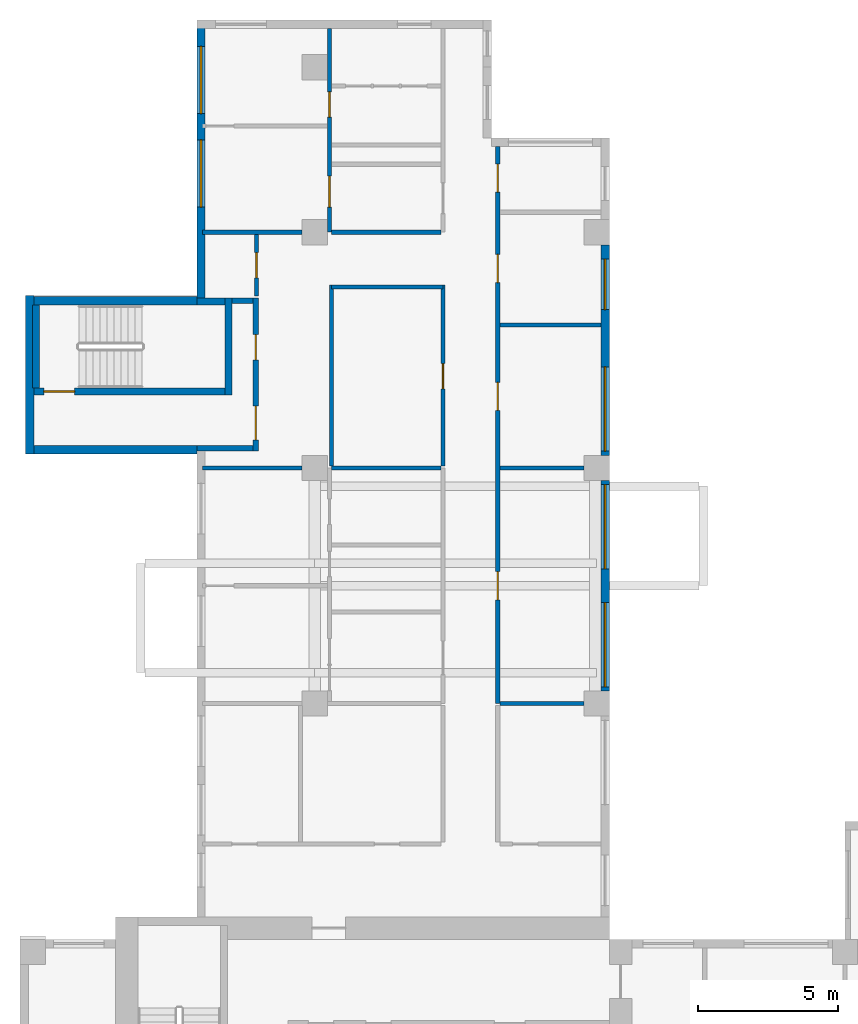
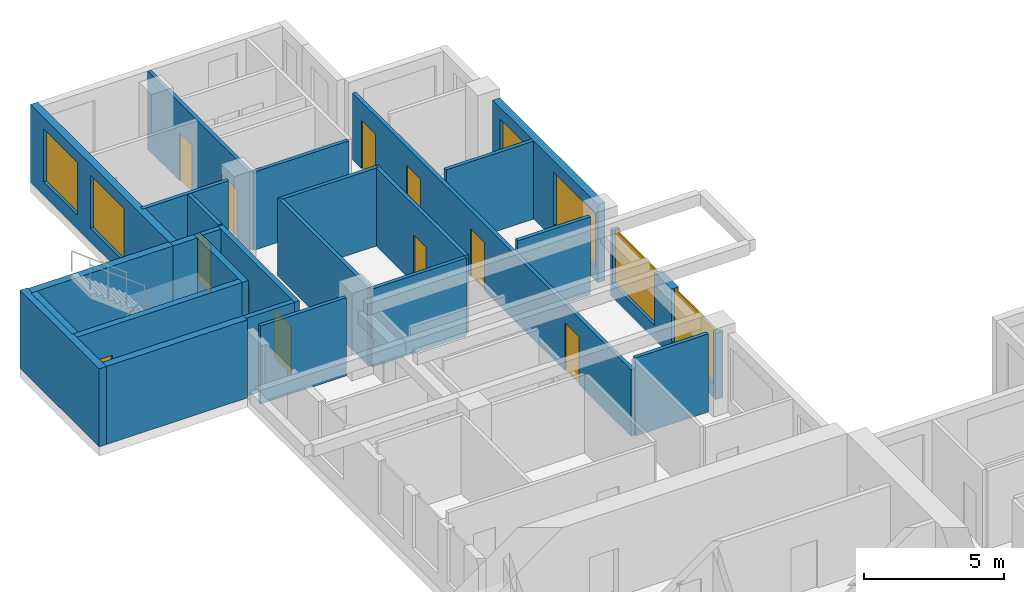
# One storey, part 8 of 13: 26 walls, 11 doors, 6 windows, 17 openings.
"""IFC4 building model written with IfcOpenShell, lengths in metres."""

import ifcopenshell
import ifcopenshell.guid

model = None  # the IFC model being written
_history = None  # IfcOwnerHistory: only IFC2X3 demands one
_inside = {}  # id of a spatial element -> (the spatial element, [elements in it])
_under = {}  # id of a project, library or spatial element -> (it, [spatial elements below it])
_declared = {}  # id of a project -> (the project, [libraries it declares])
_typed = {}  # id of a type object -> (the type object, [elements of that type])
_made_of = {}  # id of a material, layer set ... -> (it, [elements and type objects made of it])


def new_model(schema):
    """Start an empty IFC model of exactly this schema.

    Asked for "IFC4X3", IfcOpenShell would pick the latest addendum, in which some entities
    have other attributes; the version numbers below select the first issue.
    IFC2X3 requires an IfcOwnerHistory on every rooted entity: one is made here for all.
    """
    global model, _history
    if schema == "IFC4X3":
        model = ifcopenshell.file(schema_version=(4, 3, 0, 0))
    else:
        model = ifcopenshell.file(schema=schema)
    _inside.clear()
    _under.clear()
    _declared.clear()
    _typed.clear()
    _made_of.clear()
    _history = None
    if model.schema == "IFC2X3":
        org = make("IfcOrganization", Name="unknown")
        user = make(
            "IfcPersonAndOrganization",
            ThePerson=make("IfcPerson", FamilyName="unknown"),
            TheOrganization=org,
        )
        app = make(
            "IfcApplication",
            ApplicationDeveloper=org,
            Version="unknown",
            ApplicationFullName="unknown",
            ApplicationIdentifier="unknown",
        )
        _history = make(
            "IfcOwnerHistory",
            OwningUser=user,
            OwningApplication=app,
            ChangeAction="ADDED",
            CreationDate=0,
        )
    return model


def make(cls, **values):
    """One entity of the class cls with the attributes given. An attribute that is None is left unset."""
    return model.create_entity(
        cls, **{name: value for name, value in values.items() if value is not None}
    )


def rooted(cls, **values):
    """An entity with a GlobalId (a new one), such as an element, a storey or a relation."""
    return make(cls, GlobalId=ifcopenshell.guid.new(), OwnerHistory=_history, **values)


def si_unit(unit_type, name, prefix=None):
    """IfcSIUnit, for example si_unit("LENGTHUNIT", "METRE", prefix="MILLI")."""
    return make("IfcSIUnit", UnitType=unit_type, Prefix=prefix, Name=name)


def assignment(units):
    """IfcUnitAssignment: the units of a project."""
    return None if units is None else make("IfcUnitAssignment", Units=units)


def point(xyz):
    """IfcCartesianPoint."""
    return None if xyz is None else make("IfcCartesianPoint", Coordinates=xyz)


def direction(xyz):
    """IfcDirection."""
    return None if xyz is None else make("IfcDirection", DirectionRatios=xyz)


def frame(location, z_axis=None, x_axis=None):
    """IfcAxis2Placement3D, a coordinate frame: its origin and axes. An axis left out is left unset."""
    return make(
        "IfcAxis2Placement3D",
        Location=point(location),
        Axis=direction(z_axis),
        RefDirection=direction(x_axis),
    )


def frame_2d(location, x_axis=None):
    """IfcAxis2Placement2D, a coordinate frame in the plane: its origin and x axis."""
    return make(
        "IfcAxis2Placement2D", Location=point(location), RefDirection=direction(x_axis)
    )


def origin():
    """The frame at (0, 0, 0) with its axes left unset."""
    return frame((0.0, 0.0, 0.0))


def place(relative_to, where):
    """IfcLocalPlacement: puts the frame where relative to a parent placement (None: the world)."""
    return make(
        "IfcLocalPlacement", PlacementRelTo=relative_to, RelativePlacement=where
    )


def context(
    kind, dimensions, precision=None, world=None, true_north=None, identifier=None
):
    """IfcGeometricRepresentationContext, for example the 3D "Model" context."""
    return make(
        "IfcGeometricRepresentationContext",
        ContextIdentifier=identifier,
        ContextType=kind,
        CoordinateSpaceDimension=dimensions,
        Precision=precision,
        WorldCoordinateSystem=world,
        TrueNorth=true_north,
    )


def subcontext(parent, identifier, kind, view, scale=None):
    """IfcGeometricRepresentationSubContext, for example "Body" below "Model"."""
    return make(
        "IfcGeometricRepresentationSubContext",
        ContextIdentifier=identifier,
        ContextType=kind,
        ParentContext=parent,
        TargetScale=scale,
        TargetView=view,
    )


def project(units=None, contexts=None):
    """IfcProject with its units and contexts."""
    return rooted(
        "IfcProject",
        Name="project",
        RepresentationContexts=contexts,
        UnitsInContext=assignment(units),
    )


def spatial(cls, under=None, at=None, **own):
    """A site, building, storey or space (cls), placed at a placement, below another one or the project."""
    s = rooted(cls, ObjectPlacement=at, **own)
    if under is not None:
        _under.setdefault(under.id(), (under, []))[1].append(s)
    return s


def profile(cls, at=None, kind="AREA", **sizes):
    """A parametric profile (cls). Its sizes go by their IFC names, for example OverallWidth=200.0."""
    return make(cls, ProfileType=kind, Position=at, **sizes)


def rectangle(**sizes):
    """IfcRectangleProfileDef."""
    return profile("IfcRectangleProfileDef", **sizes)


def extrude(swept, where, along, depth):
    """IfcExtrudedAreaSolid: the profile swept, set in the frame where, extruded along a direction by depth."""
    return make(
        "IfcExtrudedAreaSolid",
        SweptArea=swept,
        Position=where,
        ExtrudedDirection=direction(along),
        Depth=depth,
    )


def shape(context_of_items, identifier, shape_type, items):
    """IfcShapeRepresentation: the items that make up one representation, for example the "Body"."""
    return make(
        "IfcShapeRepresentation",
        ContextOfItems=context_of_items,
        RepresentationIdentifier=identifier,
        RepresentationType=shape_type,
        Items=items,
    )


def source(mapping_origin, context_of_items, identifier, shape_type, items):
    """IfcRepresentationMap: a shape defined once, which mapped items show again and again."""
    return make(
        "IfcRepresentationMap",
        MappingOrigin=mapping_origin,
        MappedRepresentation=shape(context_of_items, identifier, shape_type, items),
    )


def transform(
    local_origin,
    x_axis=None,
    y_axis=None,
    z_axis=None,
    scale=None,
    scale2=None,
    scale3=None,
    uniform=True,
):
    """IfcCartesianTransformationOperator3D, or its non-uniform kind. x_axis, y_axis, z_axis: its Axis1, 2, 3."""
    if uniform:
        return make(
            "IfcCartesianTransformationOperator3D",
            Axis1=direction(x_axis),
            Axis2=direction(y_axis),
            LocalOrigin=point(local_origin),
            Scale=scale,
            Axis3=direction(z_axis),
        )
    return make(
        "IfcCartesianTransformationOperator3DnonUniform",
        Axis1=direction(x_axis),
        Axis2=direction(y_axis),
        LocalOrigin=point(local_origin),
        Scale=scale,
        Axis3=direction(z_axis),
        Scale2=scale2,
        Scale3=scale3,
    )


def mapped(mapping_source, mapping_target):
    """IfcMappedItem: shows the shape of a source again, moved by a transform."""
    return make(
        "IfcMappedItem", MappingSource=mapping_source, MappingTarget=mapping_target
    )


def material(Name=None, Category=None):
    """IfcMaterial."""
    return make("IfcMaterial", Name=Name, Category=Category)


def layer(
    of_material, thickness, ventilated=None, Name=None, Category=None, Priority=None
):
    """IfcMaterialLayer: one layer of a wall or slab, of a material (None: an air gap)."""
    return make(
        "IfcMaterialLayer",
        Material=of_material,
        LayerThickness=thickness,
        IsVentilated=ventilated,
        Name=Name,
        Category=Category,
        Priority=Priority,
    )


def layer_set(layers, Name=None):
    """IfcMaterialLayerSet."""
    return make("IfcMaterialLayerSet", MaterialLayers=layers, LayerSetName=Name)


def made_of(thing, what):
    """Note that an element or type object is made of a material, layer set ...; save() writes the relation."""
    if what is not None:
        _made_of.setdefault(what.id(), (what, []))[1].append(thing)
    return thing


def type_object(cls, material=None, **own):
    """A type object (cls), such as IfcWallType, which elements share."""
    return made_of(rooted(cls, **own), material)


def element(
    cls,
    number,
    at=None,
    inside=None,
    cuts=None,
    type_object=None,
    material=None,
    context=None,
    identifier="Body",
    shape_type=None,
    held_by="IfcProductDefinitionShape",
    body=None,
    shapes=None,
    **own,
):
    """One element of the class cls, such as IfcWall. Its Tag is "e" and its number.

    at: its placement. inside: the storey or other place that contains it. cuts: it is an
    opening in that element (IfcRelVoidsElement). A single representation is given by context,
    identifier, shape_type and body (its items); several are given by shapes. held_by: the class
    of the entity that holds the representations. save() writes the other relations.
    """
    e = rooted(cls, Tag="e%d" % number, ObjectPlacement=at, **own)
    if body is not None:
        shapes = [shape(context, identifier, shape_type, body)]
    if shapes is not None:
        e.Representation = make(held_by, Representations=shapes)
    if inside is not None:
        _inside.setdefault(inside.id(), (inside, []))[1].append(e)
    if cuts is not None:
        rooted(
            "IfcRelVoidsElement", RelatingBuildingElement=cuts, RelatedOpeningElement=e
        )
    if type_object is not None:
        _typed.setdefault(type_object.id(), (type_object, []))[1].append(e)
    return made_of(e, material)


def fill(opening, filler):
    """IfcRelFillsElement: the door or window that sits in an opening."""
    return rooted(
        "IfcRelFillsElement",
        RelatingOpeningElement=opening,
        RelatedBuildingElement=filler,
    )


def aggregate(whole, parts):
    """IfcRelAggregates: a whole, such as a stair, and the parts it consists of."""
    return rooted("IfcRelAggregates", RelatingObject=whole, RelatedObjects=parts)


def save(model, path):
    """Write the relations noted so far, then the file.

    IfcRelAggregates (storeys below a building ...), IfcRelContainedInSpatialStructure (elements
    in a storey), IfcRelDefinesByType, IfcRelAssociatesMaterial and IfcRelDeclares: one each for
    every whole, place, type object, material and project.
    """
    for whole, parts in _under.values():
        aggregate(whole, parts)
    for where, things in _inside.values():
        rooted(
            "IfcRelContainedInSpatialStructure",
            RelatedElements=things,
            RelatingStructure=where,
        )
    for kind, things in _typed.values():
        rooted("IfcRelDefinesByType", RelatedObjects=things, RelatingType=kind)
    for what, things in _made_of.values():
        rooted("IfcRelAssociatesMaterial", RelatedObjects=things, RelatingMaterial=what)
    for by, libraries in _declared.values():
        rooted("IfcRelDeclares", RelatingContext=by, RelatedDefinitions=libraries)
    model.write(path)


model = new_model("IFC4")

# Units and contexts
model_context = context("Model", 3, precision=1e-05, world=origin(), true_north=direction((0.0, 1.0)))
body_context = subcontext(model_context, "Body", "Model", "MODEL_VIEW")
ifc_project = project(units=[si_unit("LENGTHUNIT", "METRE"), si_unit("AREAUNIT", "SQUARE_METRE"), si_unit("VOLUMEUNIT", "CUBIC_METRE"), si_unit("PLANEANGLEUNIT", "RADIAN"), si_unit("MASSUNIT", "GRAM", prefix="KILO")], contexts=[model_context])

# Site, building, storey
site_placement = place(None, origin())
site = spatial("IfcSite", under=ifc_project, at=site_placement, CompositionType="ELEMENT")
building_placement = place(site_placement, origin())
building = spatial("IfcBuilding", under=site, at=building_placement, Name="Aurelian Terraces", CompositionType="ELEMENT")
storey_placement = place(building_placement, frame((0.0, 0.0, 204.4)))
storey = spatial("IfcBuildingStorey", under=building, at=storey_placement, Name="L45", CompositionType="ELEMENT", Elevation=204.4)

# Wall, openings, windows
ifc_material_1 = material(Name="Terracotta rainscreen cladding", Category="masonry")
ifc_layer_1 = layer(ifc_material_1, 0.3)
ifc_layer_set_1 = layer_set([ifc_layer_1], Name="EW-300")
wall_type_1 = type_object("IfcWallType", Name="EW-300", PredefinedType="STANDARD", material=ifc_layer_set_1)
shared_shape_1 = source(origin(), body_context, "Body", "SweptSolid", [
    extrude(rectangle(XDim=7.5, YDim=0.3, at=frame_2d((3.75, 0.0))), origin(), (0.0, 0.0, 1.0), 3.4),
])
wall_1_placement = place(storey_placement, frame((20.85, 38.25, 0.0), z_axis=(0.0, 0.0, 1.0), x_axis=(0.0, 1.0, 0.0)))
wall_1 = element("IfcWall", 1, at=wall_1_placement, inside=storey, type_object=wall_type_1, Name="External wall L45 F12.22", PredefinedType="STANDARD", context=body_context, shape_type="MappedRepresentation", body=[
    mapped(shared_shape_1, transform((0.0, 0.0, 0.0), scale=1.0)),
])
shared_shape_2 = source(origin(), body_context, "Body", "SweptSolid", [
    extrude(rectangle(XDim=3.0, YDim=2.3, at=frame_2d((1.5, 1.15))), frame((0.0, 0.16, 0.0), z_axis=(0.0, -1.0, 0.0), x_axis=(1.0, 0.0, 0.0)), (0.0, 0.0, 1.0), 0.32),
])
opening_1_placement = place(wall_1_placement, frame((0.15, 0.0, 0.6)))
opening_1 = element("IfcOpeningElement", 2, at=opening_1_placement, cuts=wall_1, Name="Opening W3023", PredefinedType="OPENING", context=body_context, shape_type="MappedRepresentation", body=[
    mapped(shared_shape_2, transform((0.0, 0.0, 0.0), scale=1.0)),
])
shared_shape_3 = source(origin(), body_context, "Body", "SweptSolid", [
    extrude(rectangle(XDim=1.8, YDim=2.3, at=frame_2d((0.9, 1.15))), frame((0.0, 0.16, 0.0), z_axis=(0.0, -1.0, 0.0), x_axis=(1.0, 0.0, 0.0)), (0.0, 0.0, 1.0), 0.32),
])
opening_2_placement = place(wall_1_placement, frame((5.1855, 0.0, 0.6)))
opening_2 = element("IfcOpeningElement", 3, at=opening_2_placement, cuts=wall_1, Name="Opening W1823", PredefinedType="OPENING", context=body_context, shape_type="MappedRepresentation", body=[
    mapped(shared_shape_3, transform((0.0, 0.0, 0.0), scale=1.0)),
])
ifc_material_2 = material(Name="Clear glazing", Category="glass")
window_type_1 = type_object("IfcWindowType", Name="W-3000x2300", PartitioningType="SINGLE_PANEL", PredefinedType="WINDOW", material=ifc_material_2)
shared_shape_4 = source(origin(), body_context, "Body", "SweptSolid", [
    extrude(rectangle(XDim=3.0, YDim=2.3, at=frame_2d((1.5, 1.15))), frame((0.0, 0.03, 0.0), z_axis=(0.0, -1.0, 0.0), x_axis=(1.0, 0.0, 0.0)), (0.0, 0.0, 1.0), 0.06),
])
window_1_placement = place(opening_1_placement, origin())
window_1 = element("IfcWindow", 4, at=window_1_placement, inside=storey, type_object=window_type_1, Name="Window L45 L45-F12-22-0", OverallHeight=2.3, OverallWidth=3.0, PartitioningType="SINGLE_PANEL", PredefinedType="WINDOW", context=body_context, shape_type="MappedRepresentation", body=[
    mapped(shared_shape_4, transform((0.0, 0.0, 0.0), scale=1.0)),
])
fill(opening_1, window_1)
window_type_2 = type_object("IfcWindowType", Name="W-1800x2300", PartitioningType="SINGLE_PANEL", PredefinedType="WINDOW", material=ifc_material_2)
shared_shape_5 = source(origin(), body_context, "Body", "SweptSolid", [
    extrude(rectangle(XDim=1.8, YDim=2.3, at=frame_2d((0.9, 1.15))), frame((0.0, 0.03, 0.0), z_axis=(0.0, -1.0, 0.0), x_axis=(1.0, 0.0, 0.0)), (0.0, 0.0, 1.0), 0.06),
])
window_2_placement = place(opening_2_placement, origin())
window_2 = element("IfcWindow", 5, at=window_2_placement, inside=storey, type_object=window_type_2, Name="Window L45 L45-F12-22-1", OverallHeight=2.3, OverallWidth=1.8, PartitioningType="SINGLE_PANEL", PredefinedType="WINDOW", context=body_context, shape_type="MappedRepresentation", body=[
    mapped(shared_shape_5, transform((0.0, 0.0, 0.0), scale=1.0)),
])
fill(opening_2, window_2)

# Walls
ifc_material_3 = material(Name="Concrete fc' 40 MPa", Category="concrete")
ifc_layer_2 = layer(ifc_material_3, 0.3)
ifc_layer_set_2 = layer_set([ifc_layer_2], Name="STAIR BAY WALL 300")
wall_type_2 = type_object("IfcWallType", Name="STAIR BAY WALL 300", PredefinedType="SOLIDWALL", material=ifc_layer_set_2)
shared_shape_6 = source(origin(), body_context, "Body", "SweptSolid", [
    extrude(rectangle(XDim=6.1, YDim=0.3, at=frame_2d((3.05, 0.0))), origin(), (0.0, 0.0, 1.0), 3.4),
])
for number, where, z_axis, x_axis, name in (
    (6, (6.3, 43.75, 0.0), (0.0, 0.0, 1.0), (-1.0, 0.0, 0.0), "Stair bay wall L45 F17.29"),
    (7, (0.2, 38.45, 0.0), (0.0, 0.0, 1.0), (1.0, 0.0, 0.0), "Stair bay wall L45 F19.31"),
):
    element("IfcWall", number, at=place(storey_placement, frame(where, z_axis=z_axis, x_axis=x_axis)), inside=storey, type_object=wall_type_2, Name=name, PredefinedType="SOLIDWALL", context=body_context, shape_type="MappedRepresentation", body=[
        mapped(shared_shape_6, transform((0.0, 0.0, 0.0), scale=1.0)),
    ])

# Wall, openings, windows
shared_shape_7 = source(origin(), body_context, "Body", "SweptSolid", [
    extrude(rectangle(XDim=9.91, YDim=0.3, at=frame_2d((4.955, 0.0))), origin(), (0.0, 0.0, 1.0), 3.4),
])
wall_2_placement = place(storey_placement, frame((6.45, 53.76, 0.0), z_axis=(0.0, 0.0, 1.0), x_axis=(0.0, -1.0, 0.0)))
wall_2 = element("IfcWall", 8, at=wall_2_placement, inside=storey, type_object=wall_type_1, Name="External wall L45 F16.28", PredefinedType="STANDARD", context=body_context, shape_type="MappedRepresentation", body=[
    mapped(shared_shape_7, transform((0.0, 0.0, 0.0), scale=1.0)),
])
shared_shape_8 = source(origin(), body_context, "Body", "SweptSolid", [
    extrude(rectangle(XDim=2.4, YDim=2.3, at=frame_2d((1.2, 1.15))), frame((0.0, 0.16, 0.0), z_axis=(0.0, -1.0, 0.0), x_axis=(1.0, 0.0, 0.0)), (0.0, 0.0, 1.0), 0.32),
])
opening_3_placement = place(wall_2_placement, frame((4.2725, 0.0, 0.6)))
opening_3 = element("IfcOpeningElement", 9, at=opening_3_placement, cuts=wall_2, Name="Opening W2423", PredefinedType="OPENING", context=body_context, shape_type="MappedRepresentation", body=[
    mapped(shared_shape_8, transform((0.0, 0.0, 0.0), scale=1.0)),
])
opening_4_placement = place(wall_2_placement, frame((0.9363, 0.0, 0.6)))
opening_4 = element("IfcOpeningElement", 10, at=opening_4_placement, cuts=wall_2, Name="Opening W2423", PredefinedType="OPENING", context=body_context, shape_type="MappedRepresentation", body=[
    mapped(shared_shape_8, transform((0.0, 0.0, 0.0), scale=1.0)),
])
window_type_3 = type_object("IfcWindowType", Name="W-2400x2300", PartitioningType="SINGLE_PANEL", PredefinedType="WINDOW", material=ifc_material_2)
shared_shape_9 = source(origin(), body_context, "Body", "SweptSolid", [
    extrude(rectangle(XDim=2.4, YDim=2.3, at=frame_2d((1.2, 1.15))), frame((0.0, 0.03, 0.0), z_axis=(0.0, -1.0, 0.0), x_axis=(1.0, 0.0, 0.0)), (0.0, 0.0, 1.0), 0.06),
])
window_3_placement = place(opening_3_placement, origin())
window_3 = element("IfcWindow", 11, at=window_3_placement, inside=storey, type_object=window_type_3, Name="Window L45 L45-F16-28-1", OverallHeight=2.3, OverallWidth=2.4, PartitioningType="SINGLE_PANEL", PredefinedType="WINDOW", context=body_context, shape_type="MappedRepresentation", body=[
    mapped(shared_shape_9, transform((0.0, 0.0, 0.0), scale=1.0)),
])
fill(opening_3, window_3)
window_4_placement = place(opening_4_placement, origin())
window_4 = element("IfcWindow", 12, at=window_4_placement, inside=storey, type_object=window_type_3, Name="Window L45 L45-F16-28-G0-0", OverallHeight=2.3, OverallWidth=2.4, PartitioningType="SINGLE_PANEL", PredefinedType="WINDOW", context=body_context, shape_type="MappedRepresentation", body=[
    mapped(shared_shape_9, transform((0.0, 0.0, 0.0), scale=1.0)),
])
fill(opening_4, window_4)

# Wall
shared_shape_10 = source(origin(), body_context, "Body", "SweptSolid", [
    extrude(rectangle(XDim=5.65, YDim=0.3, at=frame_2d((2.825, 0.0))), origin(), (0.0, 0.0, 1.0), 3.4),
])
wall_3_placement = place(storey_placement, frame((0.35, 43.95, 0.0), z_axis=(0.0, 0.0, 1.0), x_axis=(0.0, -1.0, 0.0)))
element("IfcWall", 13, at=wall_3_placement, inside=storey, type_object=wall_type_2, Name="Stair bay wall L45 F18.30", PredefinedType="SOLIDWALL", context=body_context, shape_type="MappedRepresentation", body=[
    mapped(shared_shape_10, transform((0.0, 0.0, 0.0), scale=1.0)),
])

# Wall, openings, windows
shared_shape_11 = source(origin(), body_context, "Body", "SweptSolid", [
    extrude(rectangle(XDim=7.5, YDim=0.3, at=frame_2d((3.75, 0.0))), origin(), (0.0, 0.0, 1.0), 2.9),
])
wall_4_placement = place(storey_placement, frame((20.85, 29.85, 0.0), z_axis=(0.0, 0.0, 1.0), x_axis=(0.0, 1.0, 0.0)))
wall_4 = element("IfcWall", 14, at=wall_4_placement, inside=storey, type_object=wall_type_1, Name="External wall L45 F12.21", PredefinedType="STANDARD", context=body_context, shape_type="MappedRepresentation", body=[
    mapped(shared_shape_11, transform((0.0, 0.0, 0.0), scale=1.0)),
])
opening_5_placement = place(wall_4_placement, frame((0.15, 0.0, 0.6)))
opening_5 = element("IfcOpeningElement", 15, at=opening_5_placement, cuts=wall_4, Name="Opening W3023", PredefinedType="OPENING", context=body_context, shape_type="MappedRepresentation", body=[
    mapped(shared_shape_2, transform((0.0, 0.0, 0.0), scale=1.0)),
])
opening_6_placement = place(wall_4_placement, frame((4.35, 0.0, 0.6)))
opening_6 = element("IfcOpeningElement", 16, at=opening_6_placement, cuts=wall_4, Name="Opening W3023", PredefinedType="OPENING", context=body_context, shape_type="MappedRepresentation", body=[
    mapped(shared_shape_2, transform((0.0, 0.0, 0.0), scale=1.0)),
])
window_5_placement = place(opening_5_placement, origin())
window_5 = element("IfcWindow", 17, at=window_5_placement, inside=storey, type_object=window_type_1, Name="Window L45 L45-F12-21-0", OverallHeight=2.3, OverallWidth=3.0, PartitioningType="SINGLE_PANEL", PredefinedType="WINDOW", context=body_context, shape_type="MappedRepresentation", body=[
    mapped(shared_shape_4, transform((0.0, 0.0, 0.0), scale=1.0)),
])
fill(opening_5, window_5)
window_6_placement = place(opening_6_placement, origin())
window_6 = element("IfcWindow", 18, at=window_6_placement, inside=storey, type_object=window_type_1, Name="Window L45 L45-F12-21-1", OverallHeight=2.3, OverallWidth=3.0, PartitioningType="SINGLE_PANEL", PredefinedType="WINDOW", context=body_context, shape_type="MappedRepresentation", body=[
    mapped(shared_shape_4, transform((0.0, 0.0, 0.0), scale=1.0)),
])
fill(opening_6, window_6)

# Wall, opening, door
ifc_layer_3 = layer(ifc_material_3, 0.25)
ifc_layer_set_3 = layer_set([ifc_layer_3], Name="Stair enclosure wall 250")
wall_type_3 = type_object("IfcWallType", Name="Stair enclosure wall 250", PredefinedType="SOLIDWALL", material=ifc_layer_set_3)
shared_shape_12 = source(origin(), body_context, "Body", "SweptSolid", [
    extrude(rectangle(XDim=7.0, YDim=0.25, at=frame_2d((3.5, 0.0))), origin(), (0.0, 0.0, 1.0), 3.4),
])
wall_5_placement = place(storey_placement, frame((0.3, 40.525, 0.0), z_axis=(0.0, 0.0, 1.0), x_axis=(1.0, 0.0, 0.0)))
wall_5 = element("IfcWall", 19, at=wall_5_placement, inside=storey, type_object=wall_type_3, Name="L45 core wall ST-S3-W", PredefinedType="SOLIDWALL", context=body_context, shape_type="MappedRepresentation", body=[
    mapped(shared_shape_12, transform((0.0, 0.0, 0.0), scale=1.0)),
])
shared_shape_13 = source(origin(), body_context, "Body", "SweptSolid", [
    extrude(rectangle(XDim=1.1, YDim=2.1, at=frame_2d((0.55, 1.05))), frame((0.0, 0.135, 0.0), z_axis=(0.0, -1.0, 0.0), x_axis=(1.0, 0.0, 0.0)), (0.0, 0.0, 1.0), 0.27),
])
opening_7_placement = place(wall_5_placement, frame((0.55, 0.0, 0.0)))
opening_7 = element("IfcOpeningElement", 20, at=opening_7_placement, cuts=wall_5, Name="Opening 64818", PredefinedType="OPENING", context=body_context, shape_type="MappedRepresentation", body=[
    mapped(shared_shape_13, transform((0.0, 0.0, 0.0), scale=1.0)),
])
ifc_material_4 = material(Name="Steel door leaf", Category="steel")
door_type_1 = type_object("IfcDoorType", Name="Core fire door 1100x2100", OperationType="SINGLE_SWING_LEFT", PredefinedType="DOOR", material=ifc_material_4)
shared_shape_14 = source(origin(), body_context, "Body", "SweptSolid", [
    extrude(rectangle(XDim=1.1, YDim=2.1, at=frame_2d((0.55, 1.05))), frame((0.0, 0.025, 0.0), z_axis=(0.0, -1.0, 0.0), x_axis=(1.0, 0.0, 0.0)), (0.0, 0.0, 1.0), 0.05),
])
door_1_placement = place(opening_7_placement, origin())
door_1 = element("IfcDoor", 21, at=door_1_placement, inside=storey, type_object=door_type_1, Name="Stair door 64818", OperationType="SINGLE_SWING_LEFT", OverallHeight=2.1, OverallWidth=1.1, PredefinedType="DOOR", context=body_context, shape_type="MappedRepresentation", body=[
    mapped(shared_shape_14, transform((0.0, 0.0, 0.0), scale=1.0)),
])
fill(opening_7, door_1)

# Walls
shared_shape_15 = source(origin(), body_context, "Body", "SweptSolid", [
    extrude(rectangle(XDim=3.45, YDim=0.25, at=frame_2d((1.725, 0.0))), origin(), (0.0, 0.0, 1.0), 3.4),
])
wall_6_placement = place(storey_placement, frame((7.425, 40.4, 0.0), z_axis=(0.0, 0.0, 1.0), x_axis=(0.0, 1.0, 0.0)))
element("IfcWall", 22, at=wall_6_placement, inside=storey, type_object=wall_type_3, Name="L45 core wall ST-S3-N", PredefinedType="SOLIDWALL", context=body_context, shape_type="MappedRepresentation", body=[
    mapped(shared_shape_15, transform((0.0, 0.0, 0.0), scale=1.0)),
])
shared_shape_16 = source(origin(), body_context, "Body", "SweptSolid", [
    extrude(rectangle(XDim=2.95, YDim=0.25, at=frame_2d((1.475, 0.0))), origin(), (0.0, 0.0, 1.0), 3.4),
])
wall_7_placement = place(storey_placement, frame((0.575, 40.65, 0.0), z_axis=(0.0, 0.0, 1.0), x_axis=(0.0, 1.0, 0.0)))
element("IfcWall", 23, at=wall_7_placement, inside=storey, type_object=wall_type_3, Name="L45 core wall ST-S3-SS", PredefinedType="SOLIDWALL", context=body_context, shape_type="MappedRepresentation", body=[
    mapped(shared_shape_16, transform((0.0, 0.0, 0.0), scale=1.0)),
])

# Wall, openings, doors
ifc_material_5 = material(Name="Gypsum board on steel studs", Category="steel")
ifc_layer_4 = layer(ifc_material_5, 0.2)
ifc_layer_set_4 = layer_set([ifc_layer_4], Name="Core partition 200")
wall_type_4 = type_object("IfcWallType", Name="Core partition 200", PredefinedType="PARTITIONING", material=ifc_layer_set_4)
shared_shape_17 = source(origin(), body_context, "Body", "SweptSolid", [
    extrude(rectangle(XDim=5.45, YDim=0.2, at=frame_2d((2.725, 0.0))), origin(), (0.0, 0.0, 1.0), 3.4),
])
wall_8_placement = place(storey_placement, frame((8.4, 38.4, 0.0), z_axis=(0.0, 0.0, 1.0), x_axis=(0.0, 1.0, 0.0)))
wall_8 = element("IfcWall", 24, at=wall_8_placement, inside=storey, type_object=wall_type_4, Name="L45 core wall ST-S3-BN", PredefinedType="PARTITIONING", context=body_context, shape_type="MappedRepresentation", body=[
    mapped(shared_shape_17, transform((0.0, 0.0, 0.0), scale=1.0)),
])
shared_shape_18 = source(origin(), body_context, "Body", "SweptSolid", [
    extrude(rectangle(XDim=1.2, YDim=2.1, at=frame_2d((0.6, 1.05))), frame((0.0, 0.11, 0.0), z_axis=(0.0, -1.0, 0.0), x_axis=(1.0, 0.0, 0.0)), (0.0, 0.0, 1.0), 0.22),
])
opening_8_placement = place(wall_8_placement, frame((0.4, 0.0, 0.0)))
opening_8 = element("IfcOpeningElement", 25, at=opening_8_placement, cuts=wall_8, Name="Opening 64819", PredefinedType="OPENING", context=body_context, shape_type="MappedRepresentation", body=[
    mapped(shared_shape_18, transform((0.0, 0.0, 0.0), scale=1.0)),
])
shared_shape_19 = source(origin(), body_context, "Body", "SweptSolid", [
    extrude(rectangle(XDim=0.9, YDim=2.1, at=frame_2d((0.45, 1.05))), frame((0.0, 0.11, 0.0), z_axis=(0.0, -1.0, 0.0), x_axis=(1.0, 0.0, 0.0)), (0.0, 0.0, 1.0), 0.22),
])
opening_9_placement = place(wall_8_placement, frame((3.25, 0.0, 0.0)))
opening_9 = element("IfcOpeningElement", 26, at=opening_9_placement, cuts=wall_8, Name="Opening 64820", PredefinedType="OPENING", context=body_context, shape_type="MappedRepresentation", body=[
    mapped(shared_shape_19, transform((0.0, 0.0, 0.0), scale=1.0)),
])
door_type_2 = type_object("IfcDoorType", Name="Core riser door 900x2100", OperationType="SINGLE_SWING_LEFT", PredefinedType="DOOR", material=ifc_material_4)
shared_shape_20 = source(origin(), body_context, "Body", "SweptSolid", [
    extrude(rectangle(XDim=0.9, YDim=2.1, at=frame_2d((0.45, 1.05))), frame((0.0, 0.025, 0.0), z_axis=(0.0, -1.0, 0.0), x_axis=(1.0, 0.0, 0.0)), (0.0, 0.0, 1.0), 0.05),
])
door_2_placement = place(opening_9_placement, origin())
door_2 = element("IfcDoor", 27, at=door_2_placement, inside=storey, type_object=door_type_2, Name="Riser door 64820", OperationType="SINGLE_SWING_LEFT", OverallHeight=2.1, OverallWidth=0.9, PredefinedType="DOOR", context=body_context, shape_type="MappedRepresentation", body=[
    mapped(shared_shape_20, transform((0.0, 0.0, 0.0), scale=1.0)),
])
fill(opening_9, door_2)
door_type_3 = type_object("IfcDoorType", Name="Core fire door 1200x2100 right", OperationType="SINGLE_SWING_RIGHT", PredefinedType="DOOR", material=ifc_material_4)
shared_shape_21 = source(origin(), body_context, "Body", "SweptSolid", [
    extrude(rectangle(XDim=1.2, YDim=2.1, at=frame_2d((0.6, 1.05))), frame((0.0, 0.025, 0.0), z_axis=(0.0, -1.0, 0.0), x_axis=(1.0, 0.0, 0.0)), (0.0, 0.0, 1.0), 0.05),
])
door_3_placement = place(opening_8_placement, origin())
door_3 = element("IfcDoor", 28, at=door_3_placement, inside=storey, type_object=door_type_3, Name="Vestibule door 64819", OperationType="SINGLE_SWING_RIGHT", OverallHeight=2.1, OverallWidth=1.2, PredefinedType="DOOR", context=body_context, shape_type="MappedRepresentation", body=[
    mapped(shared_shape_21, transform((0.0, 0.0, 0.0), scale=1.0)),
])
fill(opening_8, door_3)

# Walls
shared_shape_22 = source(origin(), body_context, "Body", "SweptSolid", [
    extrude(rectangle(XDim=0.75, YDim=0.2, at=frame_2d((0.375, 0.0))), origin(), (0.0, 0.0, 1.0), 3.4),
])
wall_9_placement = place(storey_placement, frame((7.55, 43.75, 0.0), z_axis=(0.0, 0.0, 1.0), x_axis=(1.0, 0.0, 0.0)))
element("IfcWall", 29, at=wall_9_placement, inside=storey, type_object=wall_type_4, Name="L45 core wall ST-S3-RE", PredefinedType="PARTITIONING", context=body_context, shape_type="MappedRepresentation", body=[
    mapped(shared_shape_22, transform((0.0, 0.0, 0.0), scale=1.0)),
])
shared_shape_23 = source(origin(), body_context, "Body", "SweptSolid", [
    extrude(rectangle(XDim=1.0, YDim=0.25, at=frame_2d((0.5, 0.0))), origin(), (0.0, 0.0, 1.0), 3.4),
])
wall_10_placement = place(storey_placement, frame((6.3, 43.725, 0.0), z_axis=(0.0, 0.0, 1.0), x_axis=(1.0, 0.0, 0.0)))
element("IfcWall", 30, at=wall_10_placement, inside=storey, type_object=wall_type_3, Name="L45 core wall ST-S3-E", PredefinedType="SOLIDWALL", context=body_context, shape_type="MappedRepresentation", body=[
    mapped(shared_shape_23, transform((0.0, 0.0, 0.0), scale=1.0)),
])
shared_shape_24 = source(origin(), body_context, "Body", "SweptSolid", [
    extrude(rectangle(XDim=2.0, YDim=0.2, at=frame_2d((1.0, 0.0))), origin(), (0.0, 0.0, 1.0), 3.4),
])
wall_11_placement = place(storey_placement, frame((6.3, 38.5, 0.0), z_axis=(0.0, 0.0, 1.0), x_axis=(1.0, 0.0, 0.0)))
element("IfcWall", 31, at=wall_11_placement, inside=storey, type_object=wall_type_4, Name="L45 core wall ST-S3-VW", PredefinedType="PARTITIONING", context=body_context, shape_type="MappedRepresentation", body=[
    mapped(shared_shape_24, transform((0.0, 0.0, 0.0), scale=1.0)),
])
ifc_layer_5 = layer(ifc_material_5, 0.15)
ifc_layer_set_5 = layer_set([ifc_layer_5], Name="Partition 150")
wall_type_5 = type_object("IfcWallType", Name="Partition 150", PredefinedType="PARTITIONING", material=ifc_layer_set_5)
shared_shape_25 = source(origin(), body_context, "Body", "SweptSolid", [
    extrude(rectangle(XDim=6.45, YDim=0.15, at=frame_2d((3.225, 0.0))), origin(), (0.0, 0.0, 1.0), 3.4),
])
wall_12_placement = place(storey_placement, frame((11.1, 44.325, 0.0), z_axis=(0.0, 0.0, 1.0), x_axis=(0.0, -1.0, 0.0)))
element("IfcWall", 32, at=wall_12_placement, inside=storey, type_object=wall_type_5, Name="Partition", PredefinedType="PARTITIONING", context=body_context, shape_type="MappedRepresentation", body=[
    mapped(shared_shape_25, transform((0.0, 0.0, 0.0), scale=1.0)),
])

# Wall, opening, door
ifc_layer_6 = layer(ifc_material_5, 0.15)
ifc_layer_set_6 = layer_set([ifc_layer_6], Name="Fire partition 150")
wall_type_6 = type_object("IfcWallType", Name="Fire partition 150", PredefinedType="PARTITIONING", material=ifc_layer_set_6)
wall_13_placement = place(storey_placement, frame((15.075, 37.875, 0.0), z_axis=(0.0, 0.0, 1.0), x_axis=(0.0, 1.0, 0.0)))
wall_13 = element("IfcWall", 33, at=wall_13_placement, inside=storey, type_object=wall_type_6, Name="Corridor wall", PredefinedType="PARTITIONING", context=body_context, shape_type="MappedRepresentation", body=[
    mapped(shared_shape_25, transform((0.0, 0.0, 0.0), scale=1.0)),
])
shared_shape_26 = source(origin(), body_context, "Body", "SweptSolid", [
    extrude(rectangle(XDim=0.9, YDim=2.1, at=frame_2d((0.45, 1.05))), frame((0.0, 0.085, 0.0), z_axis=(0.0, -1.0, 0.0), x_axis=(1.0, 0.0, 0.0)), (0.0, 0.0, 1.0), 0.17),
])
opening_10_placement = place(wall_13_placement, frame((2.7375, 0.0, 0.0)))
opening_10 = element("IfcOpeningElement", 34, at=opening_10_placement, cuts=wall_13, Name="Opening 745018", PredefinedType="OPENING", context=body_context, shape_type="MappedRepresentation", body=[
    mapped(shared_shape_26, transform((0.0, 0.0, 0.0), scale=1.0)),
])
ifc_material_6 = material(Name="Timber door leaf", Category="wood")
door_type_4 = type_object("IfcDoorType", Name="Room door 900x2100 right", OperationType="SINGLE_SWING_RIGHT", PredefinedType="DOOR", material=ifc_material_6)
door_4_placement = place(opening_10_placement, origin())
door_4 = element("IfcDoor", 35, at=door_4_placement, inside=storey, type_object=door_type_4, Name="Door 745018", OperationType="SINGLE_SWING_RIGHT", OverallHeight=2.1, OverallWidth=0.9, PredefinedType="DOOR", context=body_context, shape_type="MappedRepresentation", body=[
    mapped(shared_shape_20, transform((0.0, 0.0, 0.0), scale=1.0)),
])
fill(opening_10, door_4)

# Walls
shared_shape_27 = source(origin(), body_context, "Body", "SweptSolid", [
    extrude(rectangle(XDim=3.9, YDim=0.15, at=frame_2d((1.95, 0.0))), origin(), (0.0, 0.0, 1.0), 3.4),
])
for number, where, z_axis, x_axis, name in (
    (36, (15.0, 37.8, 0.0), (0.0, 0.0, 1.0), (-1.0, 0.0, 0.0), "Party wall"),
    (37, (15.0, 46.2, 0.0), (0.0, 0.0, 1.0), (-1.0, 0.0, 0.0), "Party wall"),
):
    element("IfcWall", number, at=place(storey_placement, frame(where, z_axis=z_axis, x_axis=x_axis)), inside=storey, type_object=wall_type_6, Name=name, PredefinedType="PARTITIONING", context=body_context, shape_type="MappedRepresentation", body=[
        mapped(shared_shape_27, transform((0.0, 0.0, 0.0), scale=1.0)),
    ])
shared_shape_28 = source(origin(), body_context, "Body", "SweptSolid", [
    extrude(rectangle(XDim=3.6, YDim=0.15, at=frame_2d((1.8, 0.0))), origin(), (0.0, 0.0, 1.0), 3.4),
])
wall_14_placement = place(storey_placement, frame((17.1, 42.8959, 0.0), z_axis=(0.0, 0.0, 1.0), x_axis=(1.0, 0.0, 0.0)))
element("IfcWall", 38, at=wall_14_placement, inside=storey, type_object=wall_type_5, Name="Partition", PredefinedType="PARTITIONING", context=body_context, shape_type="MappedRepresentation", body=[
    mapped(shared_shape_28, transform((0.0, 0.0, 0.0), scale=1.0)),
])
shared_shape_29 = source(origin(), body_context, "Body", "SweptSolid", [
    extrude(rectangle(XDim=3.001, YDim=0.15, at=frame_2d((1.5005, 0.0))), origin(), (0.0, 0.0, 1.0), 3.4),
])
wall_15_placement = place(storey_placement, frame((20.101, 29.4, 0.0), z_axis=(0.0, 0.0, 1.0), x_axis=(-1.0, 0.0, 0.0)))
element("IfcWall", 39, at=wall_15_placement, inside=storey, type_object=wall_type_5, Name="Partition", PredefinedType="PARTITIONING", context=body_context, shape_type="MappedRepresentation", body=[
    mapped(shared_shape_29, transform((0.0, 0.0, 0.0), scale=1.0)),
])
wall_16_placement = place(storey_placement, frame((20.101, 37.8, 0.0), z_axis=(0.0, 0.0, 1.0), x_axis=(-1.0, 0.0, 0.0)))
element("IfcWall", 40, at=wall_16_placement, inside=storey, type_object=wall_type_6, Name="Party wall", PredefinedType="PARTITIONING", context=body_context, shape_type="MappedRepresentation", body=[
    mapped(shared_shape_29, transform((0.0, 0.0, 0.0), scale=1.0)),
])

# Wall, opening, door
shared_shape_30 = source(origin(), body_context, "Body", "SweptSolid", [
    extrude(rectangle(XDim=2.2, YDim=0.15, at=frame_2d((1.1, 0.0))), origin(), (0.0, 0.0, 1.0), 3.4),
])
wall_17_placement = place(storey_placement, frame((8.425, 43.925, 0.0), z_axis=(0.0, 0.0, 1.0), x_axis=(0.0, 1.0, 0.0)))
wall_17 = element("IfcWall", 41, at=wall_17_placement, inside=storey, type_object=wall_type_5, Name="Partition", PredefinedType="PARTITIONING", context=body_context, shape_type="MappedRepresentation", body=[
    mapped(shared_shape_30, transform((0.0, 0.0, 0.0), scale=1.0)),
])
opening_11_placement = place(wall_17_placement, frame((0.65, 0.0, 0.0)))
opening_11 = element("IfcOpeningElement", 42, at=opening_11_placement, cuts=wall_17, Name="Opening 745019", PredefinedType="OPENING", context=body_context, shape_type="MappedRepresentation", body=[
    mapped(shared_shape_26, transform((0.0, 0.0, 0.0), scale=1.0)),
])
door_5_placement = place(opening_11_placement, origin())
door_5 = element("IfcDoor", 43, at=door_5_placement, inside=storey, type_object=door_type_4, Name="Door 745019", OperationType="SINGLE_SWING_RIGHT", OverallHeight=2.1, OverallWidth=0.9, PredefinedType="DOOR", context=body_context, shape_type="MappedRepresentation", body=[
    mapped(shared_shape_20, transform((0.0, 0.0, 0.0), scale=1.0)),
])
fill(opening_11, door_5)

# Walls
shared_shape_31 = source(origin(), body_context, "Body", "SweptSolid", [
    extrude(rectangle(XDim=3.546, YDim=0.15, at=frame_2d((1.773, 0.0))), origin(), (0.0, 0.0, 1.0), 3.4),
])
for number, where, z_axis, x_axis, name in (
    (44, (10.051, 37.8, 0.0), (0.0, 0.0, 1.0), (-1.0, 0.0, 0.0), "Party wall"),
    (45, (10.051, 46.2, 0.0), (0.0, 0.0, 1.0), (-1.0, 0.0, 0.0), "Party wall"),
):
    element("IfcWall", number, at=place(storey_placement, frame(where, z_axis=z_axis, x_axis=x_axis)), inside=storey, type_object=wall_type_6, Name=name, PredefinedType="PARTITIONING", context=body_context, shape_type="MappedRepresentation", body=[
        mapped(shared_shape_31, transform((0.0, 0.0, 0.0), scale=1.0)),
    ])

# Wall, openings, doors
shared_shape_32 = source(origin(), body_context, "Body", "SweptSolid", [
    extrude(rectangle(XDim=7.26, YDim=0.15, at=frame_2d((3.63, 0.0))), origin(), (0.0, 0.0, 1.0), 3.4),
])
wall_18_placement = place(storey_placement, frame((11.025, 46.2, 0.0), z_axis=(0.0, 0.0, 1.0), x_axis=(0.0, 1.0, 0.0)))
wall_18 = element("IfcWall", 46, at=wall_18_placement, inside=storey, type_object=wall_type_5, Name="Partition", PredefinedType="PARTITIONING", context=body_context, shape_type="MappedRepresentation", body=[
    mapped(shared_shape_32, transform((0.0, 0.0, 0.0), scale=1.0)),
])
shared_shape_33 = source(origin(), body_context, "Body", "SweptSolid", [
    extrude(rectangle(XDim=1.1, YDim=2.1, at=frame_2d((0.55, 1.05))), frame((0.0, 0.085, 0.0), z_axis=(0.0, -1.0, 0.0), x_axis=(1.0, 0.0, 0.0)), (0.0, 0.0, 1.0), 0.17),
])
opening_12_placement = place(wall_18_placement, frame((0.8957, 0.0, 0.0)))
opening_12 = element("IfcOpeningElement", 47, at=opening_12_placement, cuts=wall_18, Name="Opening 745027", PredefinedType="OPENING", context=body_context, shape_type="MappedRepresentation", body=[
    mapped(shared_shape_33, transform((0.0, 0.0, 0.0), scale=1.0)),
])
opening_13_placement = place(wall_18_placement, frame((4.0961, 0.0, 0.0)))
opening_13 = element("IfcOpeningElement", 48, at=opening_13_placement, cuts=wall_18, Name="Opening 745028", PredefinedType="OPENING", context=body_context, shape_type="MappedRepresentation", body=[
    mapped(shared_shape_26, transform((0.0, 0.0, 0.0), scale=1.0)),
])
door_6_placement = place(opening_13_placement, origin())
door_6 = element("IfcDoor", 49, at=door_6_placement, inside=storey, type_object=door_type_4, Name="Door 745028", OperationType="SINGLE_SWING_RIGHT", OverallHeight=2.1, OverallWidth=0.9, PredefinedType="DOOR", context=body_context, shape_type="MappedRepresentation", body=[
    mapped(shared_shape_20, transform((0.0, 0.0, 0.0), scale=1.0)),
])
fill(opening_13, door_6)
door_type_5 = type_object("IfcDoorType", Name="Room door 1100x2100 right", OperationType="SINGLE_SWING_RIGHT", PredefinedType="DOOR", material=ifc_material_6)
door_7_placement = place(opening_12_placement, origin())
door_7 = element("IfcDoor", 50, at=door_7_placement, inside=storey, type_object=door_type_5, Name="Door 745027", OperationType="SINGLE_SWING_RIGHT", OverallHeight=2.1, OverallWidth=1.1, PredefinedType="DOOR", context=body_context, shape_type="MappedRepresentation", body=[
    mapped(shared_shape_14, transform((0.0, 0.0, 0.0), scale=1.0)),
])
fill(opening_12, door_7)

# Wall
shared_shape_34 = source(origin(), body_context, "Body", "SweptSolid", [
    extrude(rectangle(XDim=3.975, YDim=0.15, at=frame_2d((1.9875, 0.0))), origin(), (0.0, 0.0, 1.0), 3.4),
])
wall_19_placement = place(storey_placement, frame((15.075, 44.25, 0.0), z_axis=(0.0, 0.0, 1.0), x_axis=(-1.0, 0.0, 0.0)))
element("IfcWall", 51, at=wall_19_placement, inside=storey, type_object=wall_type_5, Name="Partition", PredefinedType="PARTITIONING", context=body_context, shape_type="MappedRepresentation", body=[
    mapped(shared_shape_34, transform((0.0, 0.0, 0.0), scale=1.0)),
])

# Wall, openings, doors
shared_shape_35 = source(origin(), body_context, "Body", "SweptSolid", [
    extrude(rectangle(XDim=19.86, YDim=0.15, at=frame_2d((9.93, 0.0))), origin(), (0.0, 0.0, 1.0), 2.9),
])
wall_20_placement = place(storey_placement, frame((17.025, 49.26, 0.0), z_axis=(0.0, 0.0, 1.0), x_axis=(0.0, -1.0, 0.0)))
wall_20 = element("IfcWall", 52, at=wall_20_placement, inside=storey, type_object=wall_type_6, Name="Corridor wall", PredefinedType="PARTITIONING", context=body_context, shape_type="MappedRepresentation", body=[
    mapped(shared_shape_35, transform((0.0, 0.0, 0.0), scale=1.0)),
])
shared_shape_36 = source(origin(), body_context, "Body", "SweptSolid", [
    extrude(rectangle(XDim=1.0, YDim=2.1, at=frame_2d((0.5, 1.05))), frame((0.0, 0.085, 0.0), z_axis=(0.0, -1.0, 0.0), x_axis=(1.0, 0.0, 0.0)), (0.0, 0.0, 1.0), 0.17),
])
opening_14_placement = place(wall_20_placement, frame((15.16, 0.0, 0.0)))
opening_14 = element("IfcOpeningElement", 53, at=opening_14_placement, cuts=wall_20, Name="Opening 745030", PredefinedType="OPENING", context=body_context, shape_type="MappedRepresentation", body=[
    mapped(shared_shape_36, transform((0.0, 0.0, 0.0), scale=1.0)),
])
opening_15_placement = place(wall_20_placement, frame((8.4121, 0.0, 0.0)))
opening_15 = element("IfcOpeningElement", 54, at=opening_15_placement, cuts=wall_20, Name="Opening 745031", PredefinedType="OPENING", context=body_context, shape_type="MappedRepresentation", body=[
    mapped(shared_shape_36, transform((0.0, 0.0, 0.0), scale=1.0)),
])
opening_16_placement = place(wall_20_placement, frame((3.8558, 0.0, 0.0)))
opening_16 = element("IfcOpeningElement", 55, at=opening_16_placement, cuts=wall_20, Name="Opening 745032", PredefinedType="OPENING", context=body_context, shape_type="MappedRepresentation", body=[
    mapped(shared_shape_36, transform((0.0, 0.0, 0.0), scale=1.0)),
])
opening_17_placement = place(wall_20_placement, frame((0.6362, 0.0, 0.0)))
opening_17 = element("IfcOpeningElement", 56, at=opening_17_placement, cuts=wall_20, Name="Opening 745033", PredefinedType="OPENING", context=body_context, shape_type="MappedRepresentation", body=[
    mapped(shared_shape_36, transform((0.0, 0.0, 0.0), scale=1.0)),
])
door_type_6 = type_object("IfcDoorType", Name="Entrance fire door 1000x2100 left", OperationType="SINGLE_SWING_LEFT", PredefinedType="DOOR", material=ifc_material_4)
shared_shape_37 = source(origin(), body_context, "Body", "SweptSolid", [
    extrude(rectangle(XDim=1.0, YDim=2.1, at=frame_2d((0.5, 1.05))), frame((0.0, 0.025, 0.0), z_axis=(0.0, -1.0, 0.0), x_axis=(1.0, 0.0, 0.0)), (0.0, 0.0, 1.0), 0.05),
])
door_8_placement = place(opening_14_placement, origin())
door_8 = element("IfcDoor", 57, at=door_8_placement, inside=storey, type_object=door_type_6, Name="Door 745030", OperationType="SINGLE_SWING_LEFT", OverallHeight=2.1, OverallWidth=1.0, PredefinedType="DOOR", context=body_context, shape_type="MappedRepresentation", body=[
    mapped(shared_shape_37, transform((0.0, 0.0, 0.0), scale=1.0)),
])
fill(opening_14, door_8)
door_9_placement = place(opening_15_placement, origin())
door_9 = element("IfcDoor", 58, at=door_9_placement, inside=storey, type_object=door_type_6, Name="Door 745031", OperationType="SINGLE_SWING_LEFT", OverallHeight=2.1, OverallWidth=1.0, PredefinedType="DOOR", context=body_context, shape_type="MappedRepresentation", body=[
    mapped(shared_shape_37, transform((0.0, 0.0, 0.0), scale=1.0)),
])
fill(opening_15, door_9)
door_type_7 = type_object("IfcDoorType", Name="Entrance fire door 1000x2100 right", OperationType="SINGLE_SWING_RIGHT", PredefinedType="DOOR", material=ifc_material_4)
door_10_placement = place(opening_16_placement, origin())
door_10 = element("IfcDoor", 59, at=door_10_placement, inside=storey, type_object=door_type_7, Name="Door 745032", OperationType="SINGLE_SWING_RIGHT", OverallHeight=2.1, OverallWidth=1.0, PredefinedType="DOOR", context=body_context, shape_type="MappedRepresentation", body=[
    mapped(shared_shape_37, transform((0.0, 0.0, 0.0), scale=1.0)),
])
fill(opening_16, door_10)
door_11_placement = place(opening_17_placement, origin())
door_11 = element("IfcDoor", 60, at=door_11_placement, inside=storey, type_object=door_type_6, Name="Door 745033", OperationType="SINGLE_SWING_LEFT", OverallHeight=2.1, OverallWidth=1.0, PredefinedType="DOOR", context=body_context, shape_type="MappedRepresentation", body=[
    mapped(shared_shape_37, transform((0.0, 0.0, 0.0), scale=1.0)),
])
fill(opening_17, door_11)

save(model, "model.ifc")
